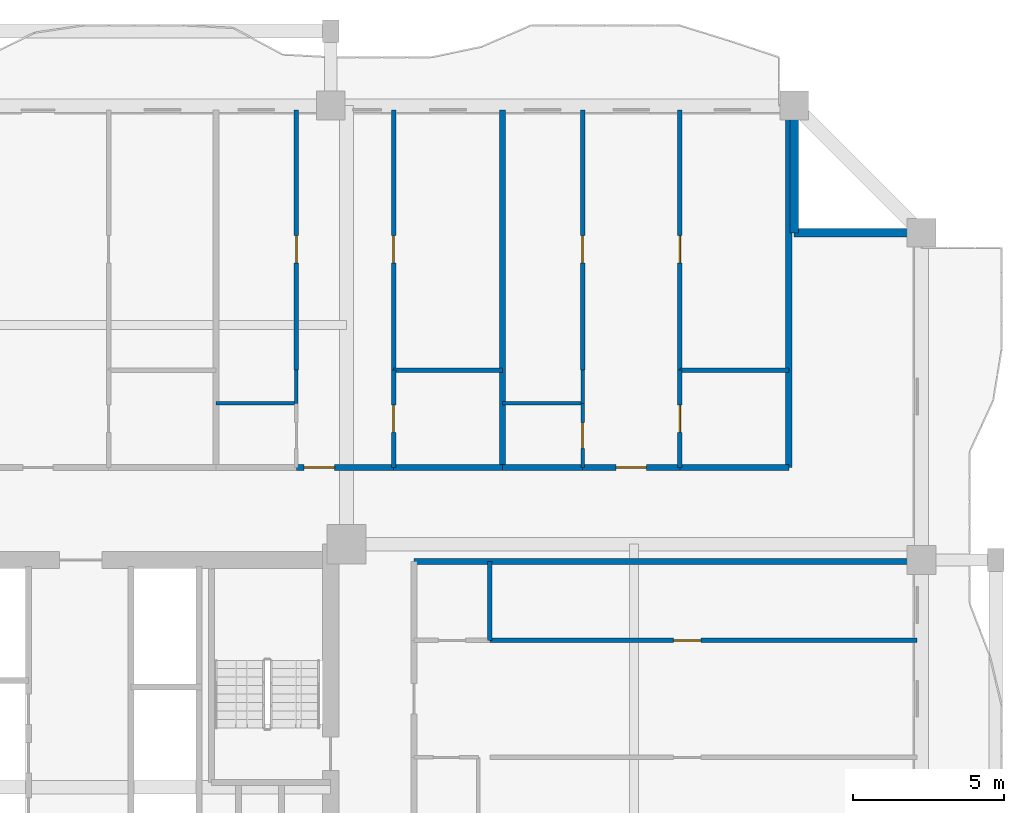
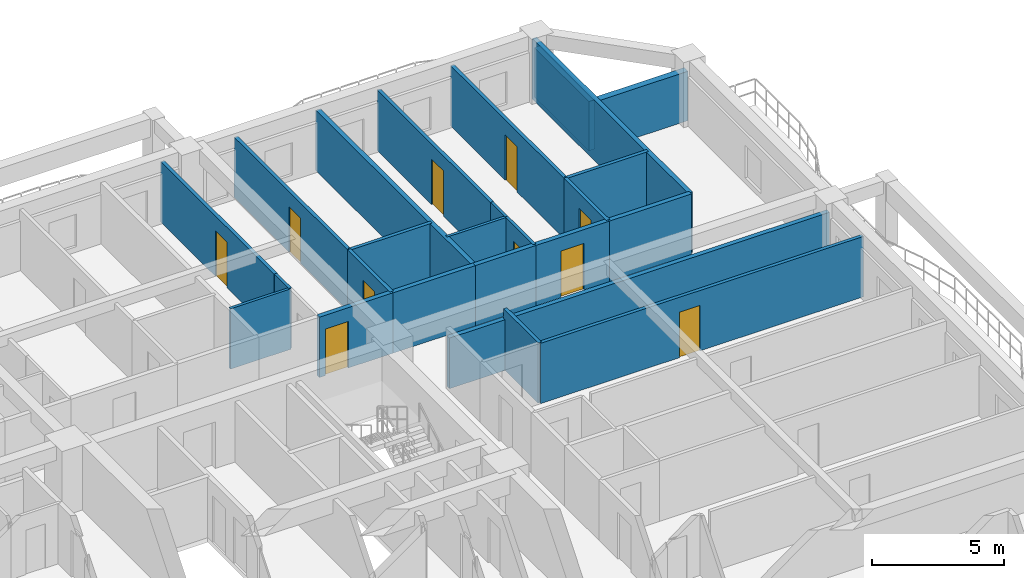
# One storey, part 8 of 14: 25 walls, 10 doors, 10 openings.
"""IFC4 building model written with IfcOpenShell, lengths in metres."""

import ifcopenshell
import ifcopenshell.guid

model = None  # the IFC model being written
_history = None  # IfcOwnerHistory: only IFC2X3 demands one
_inside = {}  # id of a spatial element -> (the spatial element, [elements in it])
_under = {}  # id of a project, library or spatial element -> (it, [spatial elements below it])
_declared = {}  # id of a project -> (the project, [libraries it declares])
_typed = {}  # id of a type object -> (the type object, [elements of that type])
_made_of = {}  # id of a material, layer set ... -> (it, [elements and type objects made of it])


def new_model(schema):
    """Start an empty IFC model of exactly this schema.

    Asked for "IFC4X3", IfcOpenShell would pick the latest addendum, in which some entities
    have other attributes; the version numbers below select the first issue.
    IFC2X3 requires an IfcOwnerHistory on every rooted entity: one is made here for all.
    """
    global model, _history
    if schema == "IFC4X3":
        model = ifcopenshell.file(schema_version=(4, 3, 0, 0))
    else:
        model = ifcopenshell.file(schema=schema)
    _inside.clear()
    _under.clear()
    _declared.clear()
    _typed.clear()
    _made_of.clear()
    _history = None
    if model.schema == "IFC2X3":
        org = make("IfcOrganization", Name="unknown")
        user = make(
            "IfcPersonAndOrganization",
            ThePerson=make("IfcPerson", FamilyName="unknown"),
            TheOrganization=org,
        )
        app = make(
            "IfcApplication",
            ApplicationDeveloper=org,
            Version="unknown",
            ApplicationFullName="unknown",
            ApplicationIdentifier="unknown",
        )
        _history = make(
            "IfcOwnerHistory",
            OwningUser=user,
            OwningApplication=app,
            ChangeAction="ADDED",
            CreationDate=0,
        )
    return model


def make(cls, **values):
    """One entity of the class cls with the attributes given. An attribute that is None is left unset."""
    return model.create_entity(
        cls, **{name: value for name, value in values.items() if value is not None}
    )


def rooted(cls, **values):
    """An entity with a GlobalId (a new one), such as an element, a storey or a relation."""
    return make(cls, GlobalId=ifcopenshell.guid.new(), OwnerHistory=_history, **values)


def si_unit(unit_type, name, prefix=None):
    """IfcSIUnit, for example si_unit("LENGTHUNIT", "METRE", prefix="MILLI")."""
    return make("IfcSIUnit", UnitType=unit_type, Prefix=prefix, Name=name)


def assignment(units):
    """IfcUnitAssignment: the units of a project."""
    return None if units is None else make("IfcUnitAssignment", Units=units)


def point(xyz):
    """IfcCartesianPoint."""
    return None if xyz is None else make("IfcCartesianPoint", Coordinates=xyz)


def direction(xyz):
    """IfcDirection."""
    return None if xyz is None else make("IfcDirection", DirectionRatios=xyz)


def frame(location, z_axis=None, x_axis=None):
    """IfcAxis2Placement3D, a coordinate frame: its origin and axes. An axis left out is left unset."""
    return make(
        "IfcAxis2Placement3D",
        Location=point(location),
        Axis=direction(z_axis),
        RefDirection=direction(x_axis),
    )


def frame_2d(location, x_axis=None):
    """IfcAxis2Placement2D, a coordinate frame in the plane: its origin and x axis."""
    return make(
        "IfcAxis2Placement2D", Location=point(location), RefDirection=direction(x_axis)
    )


def origin():
    """The frame at (0, 0, 0) with its axes left unset."""
    return frame((0.0, 0.0, 0.0))


def place(relative_to, where):
    """IfcLocalPlacement: puts the frame where relative to a parent placement (None: the world)."""
    return make(
        "IfcLocalPlacement", PlacementRelTo=relative_to, RelativePlacement=where
    )


def context(
    kind, dimensions, precision=None, world=None, true_north=None, identifier=None
):
    """IfcGeometricRepresentationContext, for example the 3D "Model" context."""
    return make(
        "IfcGeometricRepresentationContext",
        ContextIdentifier=identifier,
        ContextType=kind,
        CoordinateSpaceDimension=dimensions,
        Precision=precision,
        WorldCoordinateSystem=world,
        TrueNorth=true_north,
    )


def subcontext(parent, identifier, kind, view, scale=None):
    """IfcGeometricRepresentationSubContext, for example "Body" below "Model"."""
    return make(
        "IfcGeometricRepresentationSubContext",
        ContextIdentifier=identifier,
        ContextType=kind,
        ParentContext=parent,
        TargetScale=scale,
        TargetView=view,
    )


def project(units=None, contexts=None):
    """IfcProject with its units and contexts."""
    return rooted(
        "IfcProject",
        Name="project",
        RepresentationContexts=contexts,
        UnitsInContext=assignment(units),
    )


def spatial(cls, under=None, at=None, **own):
    """A site, building, storey or space (cls), placed at a placement, below another one or the project."""
    s = rooted(cls, ObjectPlacement=at, **own)
    if under is not None:
        _under.setdefault(under.id(), (under, []))[1].append(s)
    return s


def profile(cls, at=None, kind="AREA", **sizes):
    """A parametric profile (cls). Its sizes go by their IFC names, for example OverallWidth=200.0."""
    return make(cls, ProfileType=kind, Position=at, **sizes)


def rectangle(**sizes):
    """IfcRectangleProfileDef."""
    return profile("IfcRectangleProfileDef", **sizes)


def extrude(swept, where, along, depth):
    """IfcExtrudedAreaSolid: the profile swept, set in the frame where, extruded along a direction by depth."""
    return make(
        "IfcExtrudedAreaSolid",
        SweptArea=swept,
        Position=where,
        ExtrudedDirection=direction(along),
        Depth=depth,
    )


def shape(context_of_items, identifier, shape_type, items):
    """IfcShapeRepresentation: the items that make up one representation, for example the "Body"."""
    return make(
        "IfcShapeRepresentation",
        ContextOfItems=context_of_items,
        RepresentationIdentifier=identifier,
        RepresentationType=shape_type,
        Items=items,
    )


def source(mapping_origin, context_of_items, identifier, shape_type, items):
    """IfcRepresentationMap: a shape defined once, which mapped items show again and again."""
    return make(
        "IfcRepresentationMap",
        MappingOrigin=mapping_origin,
        MappedRepresentation=shape(context_of_items, identifier, shape_type, items),
    )


def transform(
    local_origin,
    x_axis=None,
    y_axis=None,
    z_axis=None,
    scale=None,
    scale2=None,
    scale3=None,
    uniform=True,
):
    """IfcCartesianTransformationOperator3D, or its non-uniform kind. x_axis, y_axis, z_axis: its Axis1, 2, 3."""
    if uniform:
        return make(
            "IfcCartesianTransformationOperator3D",
            Axis1=direction(x_axis),
            Axis2=direction(y_axis),
            LocalOrigin=point(local_origin),
            Scale=scale,
            Axis3=direction(z_axis),
        )
    return make(
        "IfcCartesianTransformationOperator3DnonUniform",
        Axis1=direction(x_axis),
        Axis2=direction(y_axis),
        LocalOrigin=point(local_origin),
        Scale=scale,
        Axis3=direction(z_axis),
        Scale2=scale2,
        Scale3=scale3,
    )


def mapped(mapping_source, mapping_target):
    """IfcMappedItem: shows the shape of a source again, moved by a transform."""
    return make(
        "IfcMappedItem", MappingSource=mapping_source, MappingTarget=mapping_target
    )


def material(Name=None, Category=None):
    """IfcMaterial."""
    return make("IfcMaterial", Name=Name, Category=Category)


def layer(
    of_material, thickness, ventilated=None, Name=None, Category=None, Priority=None
):
    """IfcMaterialLayer: one layer of a wall or slab, of a material (None: an air gap)."""
    return make(
        "IfcMaterialLayer",
        Material=of_material,
        LayerThickness=thickness,
        IsVentilated=ventilated,
        Name=Name,
        Category=Category,
        Priority=Priority,
    )


def layer_set(layers, Name=None):
    """IfcMaterialLayerSet."""
    return make("IfcMaterialLayerSet", MaterialLayers=layers, LayerSetName=Name)


def made_of(thing, what):
    """Note that an element or type object is made of a material, layer set ...; save() writes the relation."""
    if what is not None:
        _made_of.setdefault(what.id(), (what, []))[1].append(thing)
    return thing


def type_object(cls, material=None, **own):
    """A type object (cls), such as IfcWallType, which elements share."""
    return made_of(rooted(cls, **own), material)


def element(
    cls,
    number,
    at=None,
    inside=None,
    cuts=None,
    type_object=None,
    material=None,
    context=None,
    identifier="Body",
    shape_type=None,
    held_by="IfcProductDefinitionShape",
    body=None,
    shapes=None,
    **own,
):
    """One element of the class cls, such as IfcWall. Its Tag is "e" and its number.

    at: its placement. inside: the storey or other place that contains it. cuts: it is an
    opening in that element (IfcRelVoidsElement). A single representation is given by context,
    identifier, shape_type and body (its items); several are given by shapes. held_by: the class
    of the entity that holds the representations. save() writes the other relations.
    """
    e = rooted(cls, Tag="e%d" % number, ObjectPlacement=at, **own)
    if body is not None:
        shapes = [shape(context, identifier, shape_type, body)]
    if shapes is not None:
        e.Representation = make(held_by, Representations=shapes)
    if inside is not None:
        _inside.setdefault(inside.id(), (inside, []))[1].append(e)
    if cuts is not None:
        rooted(
            "IfcRelVoidsElement", RelatingBuildingElement=cuts, RelatedOpeningElement=e
        )
    if type_object is not None:
        _typed.setdefault(type_object.id(), (type_object, []))[1].append(e)
    return made_of(e, material)


def fill(opening, filler):
    """IfcRelFillsElement: the door or window that sits in an opening."""
    return rooted(
        "IfcRelFillsElement",
        RelatingOpeningElement=opening,
        RelatedBuildingElement=filler,
    )


def aggregate(whole, parts):
    """IfcRelAggregates: a whole, such as a stair, and the parts it consists of."""
    return rooted("IfcRelAggregates", RelatingObject=whole, RelatedObjects=parts)


def save(model, path):
    """Write the relations noted so far, then the file.

    IfcRelAggregates (storeys below a building ...), IfcRelContainedInSpatialStructure (elements
    in a storey), IfcRelDefinesByType, IfcRelAssociatesMaterial and IfcRelDeclares: one each for
    every whole, place, type object, material and project.
    """
    for whole, parts in _under.values():
        aggregate(whole, parts)
    for where, things in _inside.values():
        rooted(
            "IfcRelContainedInSpatialStructure",
            RelatedElements=things,
            RelatingStructure=where,
        )
    for kind, things in _typed.values():
        rooted("IfcRelDefinesByType", RelatedObjects=things, RelatingType=kind)
    for what, things in _made_of.values():
        rooted("IfcRelAssociatesMaterial", RelatedObjects=things, RelatingMaterial=what)
    for by, libraries in _declared.values():
        rooted("IfcRelDeclares", RelatingContext=by, RelatedDefinitions=libraries)
    model.write(path)


model = new_model("IFC4")

# Units and contexts
model_context = context("Model", 3, precision=1e-05, world=origin(), true_north=direction((0.0, 1.0)))
body_context = subcontext(model_context, "Body", "Model", "MODEL_VIEW")
ifc_project = project(units=[si_unit("LENGTHUNIT", "METRE"), si_unit("AREAUNIT", "SQUARE_METRE"), si_unit("VOLUMEUNIT", "CUBIC_METRE"), si_unit("PLANEANGLEUNIT", "RADIAN"), si_unit("MASSUNIT", "GRAM", prefix="KILO")], contexts=[model_context])

# Site, building, storey
site_placement = place(None, origin())
site = spatial("IfcSite", under=ifc_project, at=site_placement, CompositionType="ELEMENT")
building_placement = place(site_placement, origin())
building = spatial("IfcBuilding", under=site, at=building_placement, Name="Saelheon Loggia Tower", CompositionType="ELEMENT")
storey_placement = place(building_placement, frame((0.0, 0.0, 86.85009765625)))
storey = spatial("IfcBuildingStorey", under=building, at=storey_placement, Name="L27", CompositionType="ELEMENT", Elevation=86.85009765625)

# Walls
ifc_material_1 = material(Name="Architectural Precast Concrete C40/50", Category="concrete")
ifc_layer_1 = layer(ifc_material_1, 0.280029296875)
ifc_layer_set_1 = layer_set([ifc_layer_1], Name="Architectural Precast Concrete C40/50")
wall_type_1 = type_object("IfcWallType", Name="Wall_Ext_Loggia_280", PredefinedType="SOLIDWALL", material=ifc_layer_set_1)
for number, where, z_axis, x_axis, name in (
    (1, (59.800048828125, 46.800048828125, 0.0), (0.0, 0.0, 1.0), (0.0, 1.0, 0.0), "L27 Corner Notch Precast Wall NE1"),
    (2, (59.800048828125, 46.800048828125, 0.0), (0.0, 0.0, 1.0), (1.0, 0.0, 0.0), "L27 Corner Notch Precast Wall NE2"),
):
    element("IfcWall", number, at=place(storey_placement, frame(where, z_axis=z_axis, x_axis=x_axis)), inside=storey, type_object=wall_type_1, Name=name, PredefinedType="SOLIDWALL", context=body_context, shape_type="SweptSolid", body=[
        extrude(rectangle(XDim=4.119873046875, YDim=0.280029296875, at=frame_2d((2.06005859375, 0.0))), origin(), (0.0, 0.0, 1.0), 2.27978515625),
    ])
ifc_material_2 = material(Name="Lightweight Autoclaved Aerated Concrete Block and Acoustic Gypsum", Category="concrete")
ifc_layer_2 = layer(ifc_material_2, 0.14990234375)
ifc_layer_set_2 = layer_set([ifc_layer_2], Name="Lightweight Autoclaved Aerated Concrete Block and Acoustic Gypsum")
wall_type_2 = type_object("IfcWallType", Name="Wall_Part_150", PredefinedType="PARTITIONING", material=ifc_layer_set_2)
wall_1_placement = place(storey_placement, frame((46.577880859375, 42.27001953125, 0.0), z_axis=(0.0, 0.0, 1.0), x_axis=(1.0, 0.0, 0.0)))
element("IfcWall", 3, at=wall_1_placement, inside=storey, type_object=wall_type_2, Name="L27 N Partition V31", PredefinedType="PARTITIONING", context=body_context, shape_type="SweptSolid", body=[
    extrude(rectangle(XDim=3.59130859375, YDim=0.14990234375, at=frame_2d((1.795654296875, 0.0))), origin(), (0.0, 0.0, 1.0), 2.789794921875),
])

# Wall, opening, door
wall_2_placement = place(storey_placement, frame((43.36474609375, 42.27001953125, 0.0), z_axis=(0.0, 0.0, 1.0), x_axis=(0.0, 1.0, 0.0)))
wall_2 = element("IfcWall", 4, at=wall_2_placement, inside=storey, type_object=wall_type_2, Name="L27 N Partition U34", PredefinedType="PARTITIONING", context=body_context, shape_type="SweptSolid", body=[
    extrude(rectangle(XDim=8.580078125, YDim=0.14990234375, at=frame_2d((4.2900390625, 0.0))), origin(), (0.0, 0.0, 1.0), 2.789794921875),
])
opening_1_placement = place(wall_2_placement, frame((3.5400390625, 0.0, 0.0)))
opening_1 = element("IfcOpeningElement", 5, at=opening_1_placement, cuts=wall_2, Name="Opening D-IN2", PredefinedType="OPENING", context=body_context, shape_type="SweptSolid", body=[
    extrude(rectangle(XDim=0.89990234375, YDim=2.10009765625, at=frame_2d((0.449951171875, 1.050048828125))), frame((0.0, 0.0869140625, 0.0), z_axis=(0.0, -1.0, 0.0), x_axis=(1.0, 0.0, 0.0)), (0.0, 0.0, 1.0), 0.173828125),
])
ifc_material_3 = material(Name="Engineered Oak Flush Door", Category="timber")
door_type_1 = type_object("IfcDoorType", Name="Door_Int_900", OperationType="NOTDEFINED", PredefinedType="DOOR", material=ifc_material_3)
shared_shape_1 = source(origin(), body_context, "Body", "SweptSolid", [
    extrude(rectangle(XDim=0.89990234375, YDim=2.10009765625, at=frame_2d((0.449951171875, 1.050048828125))), frame((0.0, 0.02490234375, 0.0), z_axis=(0.0, -1.0, 0.0), x_axis=(1.0, 0.0, 0.0)), (0.0, 0.0, 1.0), 0.050048828125),
])
door_1_placement = place(opening_1_placement, origin())
door_1 = element("IfcDoor", 6, at=door_1_placement, inside=storey, type_object=door_type_1, Name="Unit U07 Kitchen Door", OperationType="SINGLE_SWING_RIGHT", OverallHeight=2.10009765625, OverallWidth=0.89990234375, PredefinedType="DOOR", context=body_context, shape_type="MappedRepresentation", body=[
    mapped(shared_shape_1, transform((0.0, 0.0, 0.0), scale=1.0)),
])
fill(opening_1, door_1)

wall_3_placement = place(storey_placement, frame((46.577880859375, 39.050048828125, 0.0), z_axis=(0.0, 0.0, 1.0), x_axis=(0.0, 1.0, 0.0)))
wall_3 = element("IfcWall", 7, at=wall_3_placement, inside=storey, type_object=wall_type_2, Name="L27 N Partition U35", PredefinedType="PARTITIONING", context=body_context, shape_type="SweptSolid", body=[
    extrude(rectangle(XDim=3.219970703125, YDim=0.14990234375, at=frame_2d((1.60986328125, 0.0))), origin(), (0.0, 0.0, 1.0), 2.789794921875),
])
opening_2_placement = place(wall_3_placement, frame((1.159912109375, 0.0, 0.0)))
opening_2 = element("IfcOpeningElement", 8, at=opening_2_placement, cuts=wall_3, Name="Opening D-IN2", PredefinedType="OPENING", context=body_context, shape_type="SweptSolid", body=[
    extrude(rectangle(XDim=0.89990234375, YDim=2.10009765625, at=frame_2d((0.449951171875, 1.050048828125))), frame((0.0, 0.0869140625, 0.0), z_axis=(0.0, -1.0, 0.0), x_axis=(1.0, 0.0, 0.0)), (0.0, 0.0, 1.0), 0.173828125),
])
door_2_placement = place(opening_2_placement, origin())
door_2 = element("IfcDoor", 9, at=door_2_placement, inside=storey, type_object=door_type_1, Name="Unit U07 Dressing Closet Door", OperationType="SINGLE_SWING_LEFT", OverallHeight=2.10009765625, OverallWidth=0.89990234375, PredefinedType="DOOR", context=body_context, shape_type="MappedRepresentation", body=[
    mapped(shared_shape_1, transform((0.0, 0.0, 0.0), scale=1.0)),
])
fill(opening_2, door_2)

wall_4_placement = place(storey_placement, frame((46.577880859375, 42.27001953125, 0.0), z_axis=(0.0, 0.0, 1.0), x_axis=(0.0, 1.0, 0.0)))
wall_4 = element("IfcWall", 10, at=wall_4_placement, inside=storey, type_object=wall_type_2, Name="L27 N Partition U36", PredefinedType="PARTITIONING", context=body_context, shape_type="SweptSolid", body=[
    extrude(rectangle(XDim=8.580078125, YDim=0.14990234375, at=frame_2d((4.2900390625, 0.0))), origin(), (0.0, 0.0, 1.0), 2.789794921875),
])
opening_3_placement = place(wall_4_placement, frame((3.5400390625, 0.0, 0.0)))
opening_3 = element("IfcOpeningElement", 11, at=opening_3_placement, cuts=wall_4, Name="Opening D-IN2", PredefinedType="OPENING", context=body_context, shape_type="SweptSolid", body=[
    extrude(rectangle(XDim=0.89990234375, YDim=2.10009765625, at=frame_2d((0.449951171875, 1.050048828125))), frame((0.0, 0.0869140625, 0.0), z_axis=(0.0, -1.0, 0.0), x_axis=(1.0, 0.0, 0.0)), (0.0, 0.0, 1.0), 0.173828125),
])
door_3_placement = place(opening_3_placement, origin())
door_3 = element("IfcDoor", 12, at=door_3_placement, inside=storey, type_object=door_type_1, Name="Unit U07 Bedroom 1 Door", OperationType="SINGLE_SWING_RIGHT", OverallHeight=2.10009765625, OverallWidth=0.89990234375, PredefinedType="DOOR", context=body_context, shape_type="MappedRepresentation", body=[
    mapped(shared_shape_1, transform((0.0, 0.0, 0.0), scale=1.0)),
])
fill(opening_3, door_3)

# Wall
wall_5_placement = place(storey_placement, frame((56.02880859375, 42.27001953125, 0.0), z_axis=(0.0, 0.0, 1.0), x_axis=(1.0, 0.0, 0.0)))
element("IfcWall", 13, at=wall_5_placement, inside=storey, type_object=wall_type_2, Name="L27 N Partition V42", PredefinedType="PARTITIONING", context=body_context, shape_type="SweptSolid", body=[
    extrude(rectangle(XDim=3.59130859375, YDim=0.14990234375, at=frame_2d((1.795654296875, 0.0))), origin(), (0.0, 0.0, 1.0), 2.789794921875),
])

# Wall, opening, door
wall_6_placement = place(storey_placement, frame((52.8154296875, 42.27001953125, 0.0), z_axis=(0.0, 0.0, 1.0), x_axis=(0.0, 1.0, 0.0)))
wall_6 = element("IfcWall", 14, at=wall_6_placement, inside=storey, type_object=wall_type_2, Name="L27 N Partition U45", PredefinedType="PARTITIONING", context=body_context, shape_type="SweptSolid", body=[
    extrude(rectangle(XDim=8.580078125, YDim=0.14990234375, at=frame_2d((4.2900390625, 0.0))), origin(), (0.0, 0.0, 1.0), 2.789794921875),
])
opening_4_placement = place(wall_6_placement, frame((3.5400390625, 0.0, 0.0)))
opening_4 = element("IfcOpeningElement", 15, at=opening_4_placement, cuts=wall_6, Name="Opening D-IN2", PredefinedType="OPENING", context=body_context, shape_type="SweptSolid", body=[
    extrude(rectangle(XDim=0.89990234375, YDim=2.10009765625, at=frame_2d((0.449951171875, 1.050048828125))), frame((0.0, 0.0869140625, 0.0), z_axis=(0.0, -1.0, 0.0), x_axis=(1.0, 0.0, 0.0)), (0.0, 0.0, 1.0), 0.173828125),
])
door_4_placement = place(opening_4_placement, origin())
door_4 = element("IfcDoor", 16, at=door_4_placement, inside=storey, type_object=door_type_1, Name="Unit U08 Kitchen Door", OperationType="SINGLE_SWING_LEFT", OverallHeight=2.10009765625, OverallWidth=0.89990234375, PredefinedType="DOOR", context=body_context, shape_type="MappedRepresentation", body=[
    mapped(shared_shape_1, transform((0.0, 0.0, 0.0), scale=1.0)),
])
fill(opening_4, door_4)

wall_7_placement = place(storey_placement, frame((56.02880859375, 39.050048828125, 0.0), z_axis=(0.0, 0.0, 1.0), x_axis=(0.0, 1.0, 0.0)))
wall_7 = element("IfcWall", 17, at=wall_7_placement, inside=storey, type_object=wall_type_2, Name="L27 N Partition U46", PredefinedType="PARTITIONING", context=body_context, shape_type="SweptSolid", body=[
    extrude(rectangle(XDim=3.219970703125, YDim=0.14990234375, at=frame_2d((1.60986328125, 0.0))), origin(), (0.0, 0.0, 1.0), 2.789794921875),
])
opening_5_placement = place(wall_7_placement, frame((1.159912109375, 0.0, 0.0)))
opening_5 = element("IfcOpeningElement", 18, at=opening_5_placement, cuts=wall_7, Name="Opening D-IN2", PredefinedType="OPENING", context=body_context, shape_type="SweptSolid", body=[
    extrude(rectangle(XDim=0.89990234375, YDim=2.10009765625, at=frame_2d((0.449951171875, 1.050048828125))), frame((0.0, 0.0869140625, 0.0), z_axis=(0.0, -1.0, 0.0), x_axis=(1.0, 0.0, 0.0)), (0.0, 0.0, 1.0), 0.173828125),
])
door_5_placement = place(opening_5_placement, origin())
door_5 = element("IfcDoor", 19, at=door_5_placement, inside=storey, type_object=door_type_1, Name="Unit U08 Dressing Closet Door", OperationType="SINGLE_SWING_RIGHT", OverallHeight=2.10009765625, OverallWidth=0.89990234375, PredefinedType="DOOR", context=body_context, shape_type="MappedRepresentation", body=[
    mapped(shared_shape_1, transform((0.0, 0.0, 0.0), scale=1.0)),
])
fill(opening_5, door_5)

wall_8_placement = place(storey_placement, frame((56.02880859375, 42.27001953125, 0.0), z_axis=(0.0, 0.0, 1.0), x_axis=(0.0, 1.0, 0.0)))
wall_8 = element("IfcWall", 20, at=wall_8_placement, inside=storey, type_object=wall_type_2, Name="L27 N Partition U47", PredefinedType="PARTITIONING", context=body_context, shape_type="SweptSolid", body=[
    extrude(rectangle(XDim=8.580078125, YDim=0.14990234375, at=frame_2d((4.2900390625, 0.0))), origin(), (0.0, 0.0, 1.0), 2.789794921875),
])
opening_6_placement = place(wall_8_placement, frame((3.5400390625, 0.0, 0.0)))
opening_6 = element("IfcOpeningElement", 21, at=opening_6_placement, cuts=wall_8, Name="Opening D-IN2", PredefinedType="OPENING", context=body_context, shape_type="SweptSolid", body=[
    extrude(rectangle(XDim=0.89990234375, YDim=2.10009765625, at=frame_2d((0.449951171875, 1.050048828125))), frame((0.0, 0.0869140625, 0.0), z_axis=(0.0, -1.0, 0.0), x_axis=(1.0, 0.0, 0.0)), (0.0, 0.0, 1.0), 0.173828125),
])
door_6_placement = place(opening_6_placement, origin())
door_6 = element("IfcDoor", 22, at=door_6_placement, inside=storey, type_object=door_type_1, Name="Unit U08 Bedroom 1 Door", OperationType="SINGLE_SWING_LEFT", OverallHeight=2.10009765625, OverallWidth=0.89990234375, PredefinedType="DOOR", context=body_context, shape_type="MappedRepresentation", body=[
    mapped(shared_shape_1, transform((0.0, 0.0, 0.0), scale=1.0)),
])
fill(opening_6, door_6)

# Wall
wall_9_placement = place(storey_placement, frame((49.75, 33.35009765625, 0.0), z_axis=(0.0, 0.0, 1.0), x_axis=(0.0, 1.0, 0.0)))
element("IfcWall", 23, at=wall_9_placement, inside=storey, type_object=wall_type_2, Name="L27 E Partition V17", PredefinedType="PARTITIONING", context=body_context, shape_type="SweptSolid", body=[
    extrude(rectangle(XDim=2.599853515625, YDim=0.14990234375, at=frame_2d((1.2998046875, 0.0))), origin(), (0.0, 0.0, 1.0), 2.789794921875),
])

# Wall, opening, door
wall_10_placement = place(storey_placement, frame((49.75, 33.35009765625, 0.0), z_axis=(0.0, 0.0, 1.0), x_axis=(1.0, 0.0, 0.0)))
wall_10 = element("IfcWall", 24, at=wall_10_placement, inside=storey, type_object=wall_type_2, Name="L27 E Partition U21", PredefinedType="PARTITIONING", context=body_context, shape_type="SweptSolid", body=[
    extrude(rectangle(XDim=14.10009765625, YDim=0.14990234375, at=frame_2d((7.050048828125, 0.0))), origin(), (0.0, 0.0, 1.0), 2.789794921875),
])
opening_7_placement = place(wall_10_placement, frame((6.070068359375, 0.0, 0.0)))
opening_7 = element("IfcOpeningElement", 25, at=opening_7_placement, cuts=wall_10, Name="Opening D-IN2", PredefinedType="OPENING", context=body_context, shape_type="SweptSolid", body=[
    extrude(rectangle(XDim=0.89990234375, YDim=2.10009765625, at=frame_2d((0.449951171875, 1.050048828125))), frame((0.0, 0.0869140625, 0.0), z_axis=(0.0, -1.0, 0.0), x_axis=(1.0, 0.0, 0.0)), (0.0, 0.0, 1.0), 0.173828125),
])
door_7_placement = place(opening_7_placement, origin())
door_7 = element("IfcDoor", 26, at=door_7_placement, inside=storey, type_object=door_type_1, Name="Unit U13 Bedroom 1 Door", OperationType="SINGLE_SWING_LEFT", OverallHeight=2.10009765625, OverallWidth=0.89990234375, PredefinedType="DOOR", context=body_context, shape_type="MappedRepresentation", body=[
    mapped(shared_shape_1, transform((0.0, 0.0, 0.0), scale=1.0)),
])
fill(opening_7, door_7)

# Wall
ifc_material_4 = material(Name="Double Acoustic Stud and Fireboard Partition", Category="gypsum")
ifc_layer_3 = layer(ifc_material_4, 0.199951171875)
ifc_layer_set_3 = layer_set([ifc_layer_3], Name="Double Acoustic Stud and Fireboard Partition")
wall_type_3 = type_object("IfcWallType", Name="Wall_Party_200", PredefinedType="PARTITIONING", material=ifc_layer_set_3)
wall_11_placement = place(storey_placement, frame((59.6201171875, 39.050048828125, 0.0), z_axis=(0.0, 0.0, 1.0), x_axis=(0.0, 1.0, 0.0)))
element("IfcWall", 27, at=wall_11_placement, inside=storey, type_object=wall_type_3, Name="L27 N Partition U02", PredefinedType="PARTITIONING", context=body_context, shape_type="SweptSolid", body=[
    extrude(rectangle(XDim=11.800048828125, YDim=0.199951171875, at=frame_2d((5.89990234375, 0.0))), origin(), (0.0, 0.0, 1.0), 2.789794921875),
])

# Wall, opening, door
wall_12_placement = place(storey_placement, frame((43.36474609375, 39.050048828125, 0.0), z_axis=(0.0, 0.0, 1.0), x_axis=(1.0, 0.0, 0.0)))
wall_12 = element("IfcWall", 28, at=wall_12_placement, inside=storey, type_object=wall_type_3, Name="L27 N Partition V28", PredefinedType="PARTITIONING", context=body_context, shape_type="SweptSolid", body=[
    extrude(rectangle(XDim=3.213134765625, YDim=0.199951171875, at=frame_2d((1.6064453125, 0.0))), origin(), (0.0, 0.0, 1.0), 2.789794921875),
])
opening_8_placement = place(wall_12_placement, frame((0.260009765625, 0.0, 0.0)))
opening_8 = element("IfcOpeningElement", 29, at=opening_8_placement, cuts=wall_12, Name="Opening D-FD1", PredefinedType="OPENING", context=body_context, shape_type="SweptSolid", body=[
    extrude(rectangle(XDim=1.0, YDim=2.14990234375, at=frame_2d((0.5, 1.074951171875))), frame((0.0, 0.112060546875, 0.0), z_axis=(0.0, -1.0, 0.0), x_axis=(1.0, 0.0, 0.0)), (0.0, 0.0, 1.0), 0.223876953125),
])
ifc_material_5 = material(Name="Fire-Rated Engineered Timber Entrance Door", Category="wood")
door_type_2 = type_object("IfcDoorType", Name="Door_Flat_FD30S", OperationType="NOTDEFINED", PredefinedType="DOOR", material=ifc_material_5)
shared_shape_2 = source(origin(), body_context, "Body", "SweptSolid", [
    extrude(rectangle(XDim=1.0, YDim=2.14990234375, at=frame_2d((0.5, 1.074951171875))), frame((0.0, 0.02490234375, 0.0), z_axis=(0.0, -1.0, 0.0), x_axis=(1.0, 0.0, 0.0)), (0.0, 0.0, 1.0), 0.050048828125),
])
door_8_placement = place(opening_8_placement, origin())
door_8 = element("IfcDoor", 30, at=door_8_placement, inside=storey, type_object=door_type_2, Name="Unit U07 Entrance Door", OperationType="SINGLE_SWING_RIGHT", OverallHeight=2.14990234375, OverallWidth=1.0, PredefinedType="DOOR", context=body_context, shape_type="MappedRepresentation", body=[
    mapped(shared_shape_2, transform((0.0, 0.0, 0.0), scale=1.0)),
])
fill(opening_8, door_8)

# Walls
wall_13_placement = place(storey_placement, frame((46.577880859375, 39.050048828125, 0.0), z_axis=(0.0, 0.0, 1.0), x_axis=(1.0, 0.0, 0.0)))
element("IfcWall", 31, at=wall_13_placement, inside=storey, type_object=wall_type_3, Name="L27 N Partition V29", PredefinedType="PARTITIONING", context=body_context, shape_type="SweptSolid", body=[
    extrude(rectangle(XDim=3.59130859375, YDim=0.199951171875, at=frame_2d((1.795654296875, 0.0))), origin(), (0.0, 0.0, 1.0), 2.789794921875),
])
wall_14_placement = place(storey_placement, frame((50.169189453125, 39.050048828125, 0.0), z_axis=(0.0, 0.0, 1.0), x_axis=(0.0, 1.0, 0.0)))
element("IfcWall", 32, at=wall_14_placement, inside=storey, type_object=wall_type_3, Name="L27 N Partition U37", PredefinedType="PARTITIONING", context=body_context, shape_type="SweptSolid", body=[
    extrude(rectangle(XDim=11.800048828125, YDim=0.199951171875, at=frame_2d((5.89990234375, 0.0))), origin(), (0.0, 0.0, 1.0), 2.789794921875),
])
wall_15_placement = place(storey_placement, frame((50.169189453125, 39.050048828125, 0.0), z_axis=(0.0, 0.0, 1.0), x_axis=(1.0, 0.0, 0.0)))
element("IfcWall", 33, at=wall_15_placement, inside=storey, type_object=wall_type_3, Name="L27 N Partition V38", PredefinedType="PARTITIONING", context=body_context, shape_type="SweptSolid", body=[
    extrude(rectangle(XDim=2.646240234375, YDim=0.199951171875, at=frame_2d((1.3232421875, 0.0))), origin(), (0.0, 0.0, 1.0), 2.789794921875),
])

# Wall, opening, door
wall_16_placement = place(storey_placement, frame((52.8154296875, 39.050048828125, 0.0), z_axis=(0.0, 0.0, 1.0), x_axis=(1.0, 0.0, 0.0)))
wall_16 = element("IfcWall", 34, at=wall_16_placement, inside=storey, type_object=wall_type_3, Name="L27 N Partition V39", PredefinedType="PARTITIONING", context=body_context, shape_type="SweptSolid", body=[
    extrude(rectangle(XDim=3.21337890625, YDim=0.199951171875, at=frame_2d((1.606689453125, 0.0))), origin(), (0.0, 0.0, 1.0), 2.789794921875),
])
opening_9_placement = place(wall_16_placement, frame((1.106689453125, 0.0, 0.0)))
opening_9 = element("IfcOpeningElement", 35, at=opening_9_placement, cuts=wall_16, Name="Opening D-FD1", PredefinedType="OPENING", context=body_context, shape_type="SweptSolid", body=[
    extrude(rectangle(XDim=1.0, YDim=2.14990234375, at=frame_2d((0.5, 1.074951171875))), frame((0.0, 0.112060546875, 0.0), z_axis=(0.0, -1.0, 0.0), x_axis=(1.0, 0.0, 0.0)), (0.0, 0.0, 1.0), 0.223876953125),
])
door_9_placement = place(opening_9_placement, origin())
door_9 = element("IfcDoor", 36, at=door_9_placement, inside=storey, type_object=door_type_2, Name="Unit U08 Entrance Door", OperationType="SINGLE_SWING_LEFT", OverallHeight=2.14990234375, OverallWidth=1.0, PredefinedType="DOOR", context=body_context, shape_type="MappedRepresentation", body=[
    mapped(shared_shape_2, transform((0.0, 0.0, 0.0), scale=1.0)),
])
fill(opening_9, door_9)

# Walls
wall_17_placement = place(storey_placement, frame((56.02880859375, 39.050048828125, 0.0), z_axis=(0.0, 0.0, 1.0), x_axis=(1.0, 0.0, 0.0)))
element("IfcWall", 37, at=wall_17_placement, inside=storey, type_object=wall_type_3, Name="L27 N Partition V40", PredefinedType="PARTITIONING", context=body_context, shape_type="SweptSolid", body=[
    extrude(rectangle(XDim=3.59130859375, YDim=0.199951171875, at=frame_2d((1.795654296875, 0.0))), origin(), (0.0, 0.0, 1.0), 2.789794921875),
])
wall_18_placement = place(storey_placement, frame((47.25, 35.949951171875, 0.0), z_axis=(0.0, 0.0, 1.0), x_axis=(1.0, 0.0, 0.0)))
element("IfcWall", 38, at=wall_18_placement, inside=storey, type_object=wall_type_3, Name="L27 E Partition U02", PredefinedType="PARTITIONING", context=body_context, shape_type="SweptSolid", body=[
    extrude(rectangle(XDim=16.60009765625, YDim=0.199951171875, at=frame_2d((8.300048828125, 0.0))), origin(), (0.0, 0.0, 1.0), 2.33984375),
])
ifc_material_6 = material(Name="Moisture-Resistant Cement Board Partition", Category="gypsum")
ifc_layer_4 = layer(ifc_material_6, 0.1201171875)
ifc_layer_set_4 = layer_set([ifc_layer_4], Name="Moisture-Resistant Cement Board Partition")
wall_type_4 = type_object("IfcWallType", Name="Wall_WetPart_120", PredefinedType="PARTITIONING", material=ifc_layer_set_4)
wall_19_placement = place(storey_placement, frame((40.718505859375, 41.169921875, 0.0), z_axis=(0.0, 0.0, 1.0), x_axis=(1.0, 0.0, 0.0)))
element("IfcWall", 39, at=wall_19_placement, inside=storey, type_object=wall_type_4, Name="L27 N Partition V30", PredefinedType="PARTITIONING", context=body_context, shape_type="SweptSolid", body=[
    extrude(rectangle(XDim=2.646240234375, YDim=0.1201171875, at=frame_2d((1.3232421875, 0.0))), origin(), (0.0, 0.0, 1.0), 2.789794921875),
])
wall_20_placement = place(storey_placement, frame((43.36474609375, 41.169921875, 0.0), z_axis=(0.0, 0.0, 1.0), x_axis=(0.0, 1.0, 0.0)))
element("IfcWall", 40, at=wall_20_placement, inside=storey, type_object=wall_type_4, Name="L27 N Partition U33", PredefinedType="PARTITIONING", context=body_context, shape_type="SweptSolid", body=[
    extrude(rectangle(XDim=1.10009765625, YDim=0.1201171875, at=frame_2d((0.550048828125, 0.0))), origin(), (0.0, 0.0, 1.0), 2.789794921875),
])
wall_21_placement = place(storey_placement, frame((50.169189453125, 41.169921875, 0.0), z_axis=(0.0, 0.0, 1.0), x_axis=(1.0, 0.0, 0.0)))
element("IfcWall", 41, at=wall_21_placement, inside=storey, type_object=wall_type_4, Name="L27 N Partition V41", PredefinedType="PARTITIONING", context=body_context, shape_type="SweptSolid", body=[
    extrude(rectangle(XDim=2.646240234375, YDim=0.1201171875, at=frame_2d((1.3232421875, 0.0))), origin(), (0.0, 0.0, 1.0), 2.789794921875),
])

# Wall, opening, door
wall_22_placement = place(storey_placement, frame((52.8154296875, 39.050048828125, 0.0), z_axis=(0.0, 0.0, 1.0), x_axis=(0.0, 1.0, 0.0)))
wall_22 = element("IfcWall", 42, at=wall_22_placement, inside=storey, type_object=wall_type_4, Name="L27 N Partition U43", PredefinedType="PARTITIONING", context=body_context, shape_type="SweptSolid", body=[
    extrude(rectangle(XDim=2.119873046875, YDim=0.1201171875, at=frame_2d((1.06005859375, 0.0))), origin(), (0.0, 0.0, 1.0), 2.789794921875),
])
opening_10_placement = place(wall_22_placement, frame((0.635009765625, 0.0, 0.0)))
opening_10 = element("IfcOpeningElement", 43, at=opening_10_placement, cuts=wall_22, Name="Opening D-BT1", PredefinedType="OPENING", context=body_context, shape_type="SweptSolid", body=[
    extrude(rectangle(XDim=0.85009765625, YDim=2.050048828125, at=frame_2d((0.425048828125, 1.02490234375))), frame((0.0, 0.072021484375, 0.0), z_axis=(0.0, -1.0, 0.0), x_axis=(1.0, 0.0, 0.0)), (0.0, 0.0, 1.0), 0.14404296875),
])
ifc_material_7 = material(Name="Moisture-Resistant Laminate Timber Door", Category="wood")
door_type_3 = type_object("IfcDoorType", Name="Door_Bath_850", OperationType="NOTDEFINED", PredefinedType="DOOR", material=ifc_material_7)
shared_shape_3 = source(origin(), body_context, "Body", "SweptSolid", [
    extrude(rectangle(XDim=0.85009765625, YDim=2.050048828125, at=frame_2d((0.425048828125, 1.02490234375))), frame((0.0, 0.02490234375, 0.0), z_axis=(0.0, -1.0, 0.0), x_axis=(1.0, 0.0, 0.0)), (0.0, 0.0, 1.0), 0.050048828125),
])
door_10_placement = place(opening_10_placement, origin())
door_10 = element("IfcDoor", 44, at=door_10_placement, inside=storey, type_object=door_type_3, Name="Unit U08 Bathroom Door", OperationType="SINGLE_SWING_RIGHT", OverallHeight=2.050048828125, OverallWidth=0.85009765625, PredefinedType="DOOR", context=body_context, shape_type="MappedRepresentation", body=[
    mapped(shared_shape_3, transform((0.0, 0.0, 0.0), scale=1.0)),
])
fill(opening_10, door_10)

# Wall
wall_23_placement = place(storey_placement, frame((52.8154296875, 41.169921875, 0.0), z_axis=(0.0, 0.0, 1.0), x_axis=(0.0, 1.0, 0.0)))
element("IfcWall", 45, at=wall_23_placement, inside=storey, type_object=wall_type_4, Name="L27 N Partition U44", PredefinedType="PARTITIONING", context=body_context, shape_type="SweptSolid", body=[
    extrude(rectangle(XDim=1.10009765625, YDim=0.1201171875, at=frame_2d((0.550048828125, 0.0))), origin(), (0.0, 0.0, 1.0), 2.789794921875),
])

save(model, "model.ifc")
